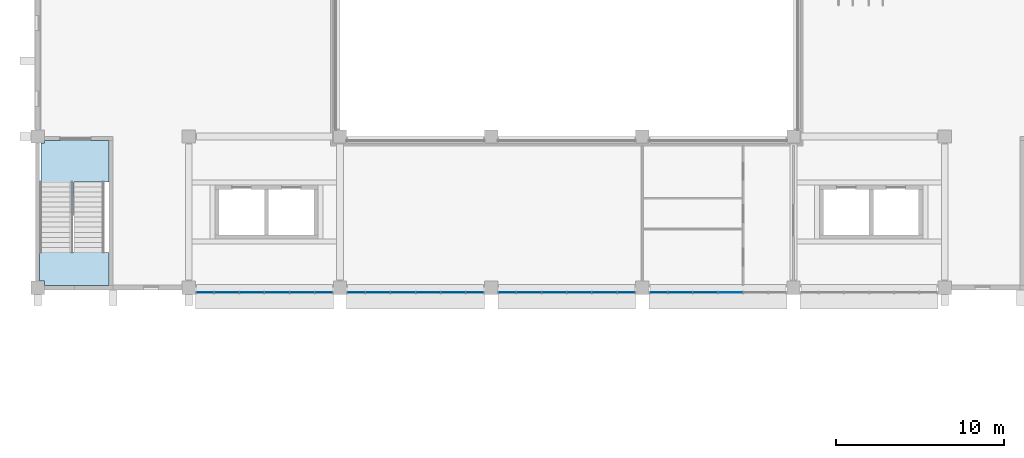
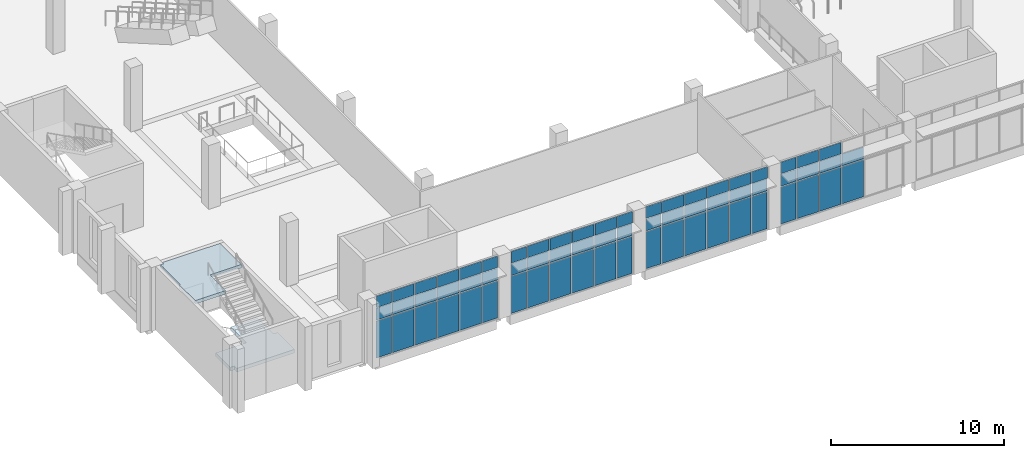
# One storey, part 50 of 106: 65 plates, 2 slabs, 5 elements without a shape of their own.
"""IFC4 building model written with IfcOpenShell, lengths in metres."""

from ifc_helpers import new_model, si_unit, direction, frame, origin, origin_2d, place, context, subcontext, project, spatial, polyline, rectangle, outline, extrude, material, layer, layer_set, type_object, element, aggregate, save


model = new_model("IFC4")

# Units and contexts
model_context = context("Model", 3, precision=1e-05, world=origin(), true_north=direction((0.0, 1.0)))
body_context = subcontext(model_context, "Body", "Model", "MODEL_VIEW")
ifc_project = project(units=[si_unit("LENGTHUNIT", "METRE"), si_unit("AREAUNIT", "SQUARE_METRE"), si_unit("VOLUMEUNIT", "CUBIC_METRE"), si_unit("PLANEANGLEUNIT", "RADIAN"), si_unit("MASSUNIT", "GRAM", prefix="KILO")], contexts=[model_context])

# Site, building, storey
site_placement = place(None, origin())
site = spatial("IfcSite", under=ifc_project, at=site_placement, CompositionType="ELEMENT")
building_placement = place(site_placement, origin())
building = spatial("IfcBuilding", under=site, at=building_placement, Name="Guidao Yard Department Store", CompositionType="ELEMENT")
storey_placement = place(building_placement, frame((0.0, 0.0, 10.5)))
storey = spatial("IfcBuildingStorey", under=building, at=storey_placement, Name="L02", CompositionType="ELEMENT", Elevation=10.5)

# Curtain wall, plates
ifc_material_1 = material(Name="Aluminium and glass", Category="aluminium")
ifc_layer_1 = layer(ifc_material_1, 0.159912109375)
ifc_layer_set_1 = layer_set([ifc_layer_1], Name="Hall front curtain wall CW2 1500 module")
curtain_wall_type = type_object("IfcCurtainWallType", Name="Hall front curtain wall CW2 1500 module", PredefinedType="NOTDEFINED", material=ifc_layer_set_1)
curtain_wall_1_placement = place(storey_placement, origin())
curtain_wall_1 = element("IfcCurtainWall", 1, at=curtain_wall_1_placement, inside=storey, type_object=curtain_wall_type, Name="Hall front curtain wall", PredefinedType="NOTDEFINED")
ifc_material_2 = material(Name="Aluminium 6063-T5 faced insulated spandrel", Category="aluminium")
ifc_layer_2 = layer(ifc_material_2, 0.06005859375)
ifc_layer_set_2 = layer_set([ifc_layer_2], Name="Spandrel panel SP1 insulated opaque")
plate_type_1 = type_object("IfcPlateType", Name="Spandrel panel SP1 insulated opaque", PredefinedType="CURTAIN_PANEL", material=ifc_layer_set_2)
plate_1_placement = place(storey_placement, frame((9.965087890625, 44.719970703125, 3.6298828125), z_axis=(0.0, 0.0, 1.0), x_axis=(-1.0, 0.0, 0.0)))
plate_1 = element("IfcPlate", 2, at=plate_1_placement, type_object=plate_type_1, Name="CW-HF-L02-01 panel 1.3", PredefinedType="CURTAIN_PANEL", context=body_context, shape_type="SweptSolid", body=[
    extrude(rectangle(XDim=1.010009765625, YDim=0.06005859375, at=origin_2d()), origin(), (0.0, 0.0, 1.0), 0.81005859375),
])
plate_2_placement = place(storey_placement, frame((11.25, 44.719970703125, 3.6298828125), z_axis=(0.0, 0.0, 1.0), x_axis=(-1.0, 0.0, 0.0)))
plate_2 = element("IfcPlate", 3, at=plate_2_placement, type_object=plate_type_1, Name="CW-HF-L02-01 panel 2.3", PredefinedType="CURTAIN_PANEL", context=body_context, shape_type="SweptSolid", body=[
    extrude(rectangle(XDim=1.43994140625, YDim=0.06005859375, at=origin_2d()), origin(), (0.0, 0.0, 1.0), 0.81005859375),
])
plate_3_placement = place(storey_placement, frame((12.75, 44.719970703125, 3.6298828125), z_axis=(0.0, 0.0, 1.0), x_axis=(-1.0, 0.0, 0.0)))
plate_3 = element("IfcPlate", 4, at=plate_3_placement, type_object=plate_type_1, Name="CW-HF-L02-01 panel 3.3", PredefinedType="CURTAIN_PANEL", context=body_context, shape_type="SweptSolid", body=[
    extrude(rectangle(XDim=1.43994140625, YDim=0.06005859375, at=origin_2d()), origin(), (0.0, 0.0, 1.0), 0.81005859375),
])
plate_4_placement = place(storey_placement, frame((14.25, 44.719970703125, 3.6298828125), z_axis=(0.0, 0.0, 1.0), x_axis=(-1.0, 0.0, 0.0)))
plate_4 = element("IfcPlate", 5, at=plate_4_placement, type_object=plate_type_1, Name="CW-HF-L02-01 panel 4.3", PredefinedType="CURTAIN_PANEL", context=body_context, shape_type="SweptSolid", body=[
    extrude(rectangle(XDim=1.43994140625, YDim=0.06005859375, at=origin_2d()), origin(), (0.0, 0.0, 1.0), 0.81005859375),
])
plate_5_placement = place(storey_placement, frame((15.75, 44.719970703125, 3.6298828125), z_axis=(0.0, 0.0, 1.0), x_axis=(-1.0, 0.0, 0.0)))
plate_5 = element("IfcPlate", 6, at=plate_5_placement, type_object=plate_type_1, Name="CW-HF-L02-01 panel 5.3", PredefinedType="CURTAIN_PANEL", context=body_context, shape_type="SweptSolid", body=[
    extrude(rectangle(XDim=1.43994140625, YDim=0.06005859375, at=origin_2d()), origin(), (0.0, 0.0, 1.0), 0.81005859375),
])
plate_6_placement = place(storey_placement, frame((17.034912109375, 44.719970703125, 3.6298828125), z_axis=(0.0, 0.0, 1.0), x_axis=(-1.0, 0.0, 0.0)))
plate_6 = element("IfcPlate", 7, at=plate_6_placement, type_object=plate_type_1, Name="CW-HF-L02-01 panel 6.3", PredefinedType="CURTAIN_PANEL", context=body_context, shape_type="SweptSolid", body=[
    extrude(rectangle(XDim=1.010009765625, YDim=0.06005859375, at=origin_2d()), origin(), (0.0, 0.0, 1.0), 0.81005859375),
])

curtain_wall_2_placement = place(storey_placement, origin())
curtain_wall_2 = element("IfcCurtainWall", 8, at=curtain_wall_2_placement, inside=storey, type_object=curtain_wall_type, Name="Hall front curtain wall", PredefinedType="NOTDEFINED")
plate_7_placement = place(storey_placement, frame((18.965087890625, 44.719970703125, 3.6298828125), z_axis=(0.0, 0.0, 1.0), x_axis=(-1.0, 0.0, 0.0)))
plate_7 = element("IfcPlate", 9, at=plate_7_placement, type_object=plate_type_1, Name="CW-HF-L02-02 panel 1.3", PredefinedType="CURTAIN_PANEL", context=body_context, shape_type="SweptSolid", body=[
    extrude(rectangle(XDim=1.010009765625, YDim=0.06005859375, at=origin_2d()), origin(), (0.0, 0.0, 1.0), 0.81005859375),
])
plate_8_placement = place(storey_placement, frame((20.25, 44.719970703125, 3.6298828125), z_axis=(0.0, 0.0, 1.0), x_axis=(-1.0, 0.0, 0.0)))
plate_8 = element("IfcPlate", 10, at=plate_8_placement, type_object=plate_type_1, Name="CW-HF-L02-02 panel 2.3", PredefinedType="CURTAIN_PANEL", context=body_context, shape_type="SweptSolid", body=[
    extrude(rectangle(XDim=1.43994140625, YDim=0.06005859375, at=origin_2d()), origin(), (0.0, 0.0, 1.0), 0.81005859375),
])
plate_9_placement = place(storey_placement, frame((21.75, 44.719970703125, 3.6298828125), z_axis=(0.0, 0.0, 1.0), x_axis=(-1.0, 0.0, 0.0)))
plate_9 = element("IfcPlate", 11, at=plate_9_placement, type_object=plate_type_1, Name="CW-HF-L02-02 panel 3.3", PredefinedType="CURTAIN_PANEL", context=body_context, shape_type="SweptSolid", body=[
    extrude(rectangle(XDim=1.43994140625, YDim=0.06005859375, at=origin_2d()), origin(), (0.0, 0.0, 1.0), 0.81005859375),
])
plate_10_placement = place(storey_placement, frame((23.25, 44.719970703125, 3.6298828125), z_axis=(0.0, 0.0, 1.0), x_axis=(-1.0, 0.0, 0.0)))
plate_10 = element("IfcPlate", 12, at=plate_10_placement, type_object=plate_type_1, Name="CW-HF-L02-02 panel 4.3", PredefinedType="CURTAIN_PANEL", context=body_context, shape_type="SweptSolid", body=[
    extrude(rectangle(XDim=1.43994140625, YDim=0.06005859375, at=origin_2d()), origin(), (0.0, 0.0, 1.0), 0.81005859375),
])
plate_11_placement = place(storey_placement, frame((24.75, 44.719970703125, 3.6298828125), z_axis=(0.0, 0.0, 1.0), x_axis=(-1.0, 0.0, 0.0)))
plate_11 = element("IfcPlate", 13, at=plate_11_placement, type_object=plate_type_1, Name="CW-HF-L02-02 panel 5.3", PredefinedType="CURTAIN_PANEL", context=body_context, shape_type="SweptSolid", body=[
    extrude(rectangle(XDim=1.43994140625, YDim=0.06005859375, at=origin_2d()), origin(), (0.0, 0.0, 1.0), 0.81005859375),
])
plate_12_placement = place(storey_placement, frame((26.034912109375, 44.719970703125, 3.6298828125), z_axis=(0.0, 0.0, 1.0), x_axis=(-1.0, 0.0, 0.0)))
plate_12 = element("IfcPlate", 14, at=plate_12_placement, type_object=plate_type_1, Name="CW-HF-L02-02 panel 6.3", PredefinedType="CURTAIN_PANEL", context=body_context, shape_type="SweptSolid", body=[
    extrude(rectangle(XDim=1.010009765625, YDim=0.06005859375, at=origin_2d()), origin(), (0.0, 0.0, 1.0), 0.81005859375),
])

curtain_wall_3_placement = place(storey_placement, origin())
curtain_wall_3 = element("IfcCurtainWall", 15, at=curtain_wall_3_placement, inside=storey, type_object=curtain_wall_type, Name="Hall front curtain wall", PredefinedType="NOTDEFINED")
plate_13_placement = place(storey_placement, frame((27.965087890625, 44.719970703125, 3.6298828125), z_axis=(0.0, 0.0, 1.0), x_axis=(-1.0, 0.0, 0.0)))
plate_13 = element("IfcPlate", 16, at=plate_13_placement, type_object=plate_type_1, Name="CW-HF-L02-03 panel 1.3", PredefinedType="CURTAIN_PANEL", context=body_context, shape_type="SweptSolid", body=[
    extrude(rectangle(XDim=1.010009765625, YDim=0.06005859375, at=origin_2d()), origin(), (0.0, 0.0, 1.0), 0.81005859375),
])
plate_14_placement = place(storey_placement, frame((29.25, 44.719970703125, 3.6298828125), z_axis=(0.0, 0.0, 1.0), x_axis=(-1.0, 0.0, 0.0)))
plate_14 = element("IfcPlate", 17, at=plate_14_placement, type_object=plate_type_1, Name="CW-HF-L02-03 panel 2.3", PredefinedType="CURTAIN_PANEL", context=body_context, shape_type="SweptSolid", body=[
    extrude(rectangle(XDim=1.43994140625, YDim=0.06005859375, at=origin_2d()), origin(), (0.0, 0.0, 1.0), 0.81005859375),
])
plate_15_placement = place(storey_placement, frame((30.75, 44.719970703125, 3.6298828125), z_axis=(0.0, 0.0, 1.0), x_axis=(-1.0, 0.0, 0.0)))
plate_15 = element("IfcPlate", 18, at=plate_15_placement, type_object=plate_type_1, Name="CW-HF-L02-03 panel 3.3", PredefinedType="CURTAIN_PANEL", context=body_context, shape_type="SweptSolid", body=[
    extrude(rectangle(XDim=1.43994140625, YDim=0.06005859375, at=origin_2d()), origin(), (0.0, 0.0, 1.0), 0.81005859375),
])
plate_16_placement = place(storey_placement, frame((32.25, 44.719970703125, 3.6298828125), z_axis=(0.0, 0.0, 1.0), x_axis=(-1.0, 0.0, 0.0)))
plate_16 = element("IfcPlate", 19, at=plate_16_placement, type_object=plate_type_1, Name="CW-HF-L02-03 panel 4.3", PredefinedType="CURTAIN_PANEL", context=body_context, shape_type="SweptSolid", body=[
    extrude(rectangle(XDim=1.43994140625, YDim=0.06005859375, at=origin_2d()), origin(), (0.0, 0.0, 1.0), 0.81005859375),
])
plate_17_placement = place(storey_placement, frame((33.75, 44.719970703125, 3.6298828125), z_axis=(0.0, 0.0, 1.0), x_axis=(-1.0, 0.0, 0.0)))
plate_17 = element("IfcPlate", 20, at=plate_17_placement, type_object=plate_type_1, Name="CW-HF-L02-03 panel 5.3", PredefinedType="CURTAIN_PANEL", context=body_context, shape_type="SweptSolid", body=[
    extrude(rectangle(XDim=1.43994140625, YDim=0.06005859375, at=origin_2d()), origin(), (0.0, 0.0, 1.0), 0.81005859375),
])
plate_18_placement = place(storey_placement, frame((35.034912109375, 44.719970703125, 3.6298828125), z_axis=(0.0, 0.0, 1.0), x_axis=(-1.0, 0.0, 0.0)))
plate_18 = element("IfcPlate", 21, at=plate_18_placement, type_object=plate_type_1, Name="CW-HF-L02-03 panel 6.3", PredefinedType="CURTAIN_PANEL", context=body_context, shape_type="SweptSolid", body=[
    extrude(rectangle(XDim=1.010009765625, YDim=0.06005859375, at=origin_2d()), origin(), (0.0, 0.0, 1.0), 0.81005859375),
])

curtain_wall_4_placement = place(storey_placement, origin())
curtain_wall_4 = element("IfcCurtainWall", 22, at=curtain_wall_4_placement, inside=storey, type_object=curtain_wall_type, Name="Hall front curtain wall", PredefinedType="NOTDEFINED")
plate_19_placement = place(storey_placement, frame((36.965087890625, 44.719970703125, 3.6298828125), z_axis=(0.0, 0.0, 1.0), x_axis=(-1.0, 0.0, 0.0)))
plate_19 = element("IfcPlate", 23, at=plate_19_placement, type_object=plate_type_1, Name="CW-HF-L02-04 panel 1.3", PredefinedType="CURTAIN_PANEL", context=body_context, shape_type="SweptSolid", body=[
    extrude(rectangle(XDim=1.010009765625, YDim=0.06005859375, at=origin_2d()), origin(), (0.0, 0.0, 1.0), 0.81005859375),
])
plate_20_placement = place(storey_placement, frame((38.25, 44.719970703125, 3.6298828125), z_axis=(0.0, 0.0, 1.0), x_axis=(-1.0, 0.0, 0.0)))
plate_20 = element("IfcPlate", 24, at=plate_20_placement, type_object=plate_type_1, Name="CW-HF-L02-04 panel 2.3", PredefinedType="CURTAIN_PANEL", context=body_context, shape_type="SweptSolid", body=[
    extrude(rectangle(XDim=1.43994140625, YDim=0.06005859375, at=origin_2d()), origin(), (0.0, 0.0, 1.0), 0.81005859375),
])
plate_21_placement = place(storey_placement, frame((39.75, 44.719970703125, 3.6298828125), z_axis=(0.0, 0.0, 1.0), x_axis=(-1.0, 0.0, 0.0)))
plate_21 = element("IfcPlate", 25, at=plate_21_placement, type_object=plate_type_1, Name="CW-HF-L02-04 panel 3.3", PredefinedType="CURTAIN_PANEL", context=body_context, shape_type="SweptSolid", body=[
    extrude(rectangle(XDim=1.43994140625, YDim=0.06005859375, at=origin_2d()), origin(), (0.0, 0.0, 1.0), 0.81005859375),
])

# Stair, slabs
ifc_material_3 = material(Name="Concrete C35", Category="concrete")
stair_type = type_object("IfcStairType", Name="Stair half-turn two-flight 1800 wide 4.5 m rise", PredefinedType="HALF_TURN_STAIR", material=ifc_material_3)
stair_placement = place(storey_placement, origin())
stair = element("IfcStair", 26, at=stair_placement, inside=storey, type_object=stair_type, Name="Stair A8 L02 to L03", PredefinedType="HALF_TURN_STAIR")
ifc_material_4 = material(Name="Concrete C35", Category="concrete")
ifc_layer_3 = layer(ifc_material_4, 0.25)
ifc_layer_set_3 = layer_set([ifc_layer_3], Name="Stair landing RC 250 C35")
slab_type = type_object("IfcSlabType", Name="Stair landing RC 250 C35", PredefinedType="LANDING", material=ifc_layer_set_3)
slab_1_placement = place(storey_placement, frame((0.0, 0.0, 2.0)))
slab_1 = element("IfcSlab", 27, at=slab_1_placement, type_object=slab_type, Name="SA8-L02 landing 1", PredefinedType="LANDING", context=body_context, shape_type="SweptSolid", body=[
    extrude(outline(polyline([(0.39990234375, 45.125), (0.39990234375, 45.39990234375), (0.125, 45.39990234375), (0.125, 47.10009765625), (0.125, 47.110107421875), (2.175048828125, 47.110107421875), (2.175048828125, 48.929931640625), (3.97509765625, 48.929931640625), (3.97509765625, 47.10009765625), (4.25, 47.10009765625), (4.25, 45.125), (0.39990234375, 45.125)])), origin(), (0.0, 0.0, 1.0), 0.25),
])
slab_2_placement = place(storey_placement, frame((0.0, 0.0, 4.25)))
slab_2 = element("IfcSlab", 28, at=slab_2_placement, type_object=slab_type, Name="SA8-L02 landing 2", PredefinedType="LANDING", context=body_context, shape_type="SweptSolid", body=[
    extrude(outline(polyline([(0.125, 51.300048828125), (0.199951171875, 51.300048828125), (0.199951171875, 53.60009765625), (0.39990234375, 53.60009765625), (0.39990234375, 53.75), (2.175048828125, 53.75), (4.25, 53.75), (4.25, 51.2900390625), (2.175048828125, 51.2900390625), (2.175048828125, 49.469970703125), (0.125, 49.469970703125), (0.125, 51.300048828125)])), origin(), (0.0, 0.0, 1.0), 0.25),
])
aggregate(stair, [slab_1, slab_2])

# Plate
ifc_material_5 = material(Name="Laminated heat-soaked tempered glass", Category="glass")
ifc_layer_4 = layer(ifc_material_5, 0.017578125)
ifc_layer_set_4 = layer_set([ifc_layer_4], Name="Vision glass VG1 laminated heat-soaked tempered 8+8")
plate_type_2 = type_object("IfcPlateType", Name="Vision glass VG1 laminated heat-soaked tempered 8+8", PredefinedType="CURTAIN_PANEL", material=ifc_layer_set_4)
plate_22_placement = place(storey_placement, frame((9.965087890625, 44.719970703125, 0.06005859375), z_axis=(0.0, 0.0, 1.0), x_axis=(-1.0, 0.0, 0.0)))
plate_22 = element("IfcPlate", 29, at=plate_22_placement, type_object=plate_type_2, Name="CW-HF-L02-01 panel 1.1", PredefinedType="CURTAIN_PANEL", context=body_context, shape_type="SweptSolid", body=[
    extrude(rectangle(XDim=1.010009765625, YDim=0.017578125, at=origin_2d()), origin(), (0.0, 0.0, 1.0), 2.610107421875),
])

plate_23_placement = place(storey_placement, frame((9.965087890625, 44.719970703125, 2.72998046875), z_axis=(0.0, 0.0, 1.0), x_axis=(-1.0, 0.0, 0.0)))
plate_23 = element("IfcPlate", 30, at=plate_23_placement, type_object=plate_type_2, Name="CW-HF-L02-01 panel 1.2", PredefinedType="CURTAIN_PANEL", context=body_context, shape_type="SweptSolid", body=[
    extrude(rectangle(XDim=1.010009765625, YDim=0.017578125, at=origin_2d()), origin(), (0.0, 0.0, 1.0), 0.840087890625),
])

plate_24_placement = place(storey_placement, frame((11.25, 44.719970703125, 0.06005859375), z_axis=(0.0, 0.0, 1.0), x_axis=(-1.0, 0.0, 0.0)))
plate_24 = element("IfcPlate", 31, at=plate_24_placement, type_object=plate_type_2, Name="CW-HF-L02-01 panel 2.1", PredefinedType="CURTAIN_PANEL", context=body_context, shape_type="SweptSolid", body=[
    extrude(rectangle(XDim=1.43994140625, YDim=0.017578125, at=origin_2d()), origin(), (0.0, 0.0, 1.0), 2.610107421875),
])

plate_25_placement = place(storey_placement, frame((11.25, 44.719970703125, 2.72998046875), z_axis=(0.0, 0.0, 1.0), x_axis=(-1.0, 0.0, 0.0)))
plate_25 = element("IfcPlate", 32, at=plate_25_placement, type_object=plate_type_2, Name="CW-HF-L02-01 panel 2.2", PredefinedType="CURTAIN_PANEL", context=body_context, shape_type="SweptSolid", body=[
    extrude(rectangle(XDim=1.43994140625, YDim=0.017578125, at=origin_2d()), origin(), (0.0, 0.0, 1.0), 0.840087890625),
])

plate_26_placement = place(storey_placement, frame((12.75, 44.719970703125, 0.06005859375), z_axis=(0.0, 0.0, 1.0), x_axis=(-1.0, 0.0, 0.0)))
plate_26 = element("IfcPlate", 33, at=plate_26_placement, type_object=plate_type_2, Name="CW-HF-L02-01 panel 3.1", PredefinedType="CURTAIN_PANEL", context=body_context, shape_type="SweptSolid", body=[
    extrude(rectangle(XDim=1.43994140625, YDim=0.017578125, at=origin_2d()), origin(), (0.0, 0.0, 1.0), 2.610107421875),
])

plate_27_placement = place(storey_placement, frame((12.75, 44.719970703125, 2.72998046875), z_axis=(0.0, 0.0, 1.0), x_axis=(-1.0, 0.0, 0.0)))
plate_27 = element("IfcPlate", 34, at=plate_27_placement, type_object=plate_type_2, Name="CW-HF-L02-01 panel 3.2", PredefinedType="CURTAIN_PANEL", context=body_context, shape_type="SweptSolid", body=[
    extrude(rectangle(XDim=1.43994140625, YDim=0.017578125, at=origin_2d()), origin(), (0.0, 0.0, 1.0), 0.840087890625),
])

plate_28_placement = place(storey_placement, frame((14.25, 44.719970703125, 0.06005859375), z_axis=(0.0, 0.0, 1.0), x_axis=(-1.0, 0.0, 0.0)))
plate_28 = element("IfcPlate", 35, at=plate_28_placement, type_object=plate_type_2, Name="CW-HF-L02-01 panel 4.1", PredefinedType="CURTAIN_PANEL", context=body_context, shape_type="SweptSolid", body=[
    extrude(rectangle(XDim=1.43994140625, YDim=0.017578125, at=origin_2d()), origin(), (0.0, 0.0, 1.0), 2.610107421875),
])

plate_29_placement = place(storey_placement, frame((14.25, 44.719970703125, 2.72998046875), z_axis=(0.0, 0.0, 1.0), x_axis=(-1.0, 0.0, 0.0)))
plate_29 = element("IfcPlate", 36, at=plate_29_placement, type_object=plate_type_2, Name="CW-HF-L02-01 panel 4.2", PredefinedType="CURTAIN_PANEL", context=body_context, shape_type="SweptSolid", body=[
    extrude(rectangle(XDim=1.43994140625, YDim=0.017578125, at=origin_2d()), origin(), (0.0, 0.0, 1.0), 0.840087890625),
])

plate_30_placement = place(storey_placement, frame((15.75, 44.719970703125, 0.06005859375), z_axis=(0.0, 0.0, 1.0), x_axis=(-1.0, 0.0, 0.0)))
plate_30 = element("IfcPlate", 37, at=plate_30_placement, type_object=plate_type_2, Name="CW-HF-L02-01 panel 5.1", PredefinedType="CURTAIN_PANEL", context=body_context, shape_type="SweptSolid", body=[
    extrude(rectangle(XDim=1.43994140625, YDim=0.017578125, at=origin_2d()), origin(), (0.0, 0.0, 1.0), 2.610107421875),
])

plate_31_placement = place(storey_placement, frame((15.75, 44.719970703125, 2.72998046875), z_axis=(0.0, 0.0, 1.0), x_axis=(-1.0, 0.0, 0.0)))
plate_31 = element("IfcPlate", 38, at=plate_31_placement, type_object=plate_type_2, Name="CW-HF-L02-01 panel 5.2", PredefinedType="CURTAIN_PANEL", context=body_context, shape_type="SweptSolid", body=[
    extrude(rectangle(XDim=1.43994140625, YDim=0.017578125, at=origin_2d()), origin(), (0.0, 0.0, 1.0), 0.840087890625),
])

plate_32_placement = place(storey_placement, frame((17.034912109375, 44.719970703125, 0.06005859375), z_axis=(0.0, 0.0, 1.0), x_axis=(-1.0, 0.0, 0.0)))
plate_32 = element("IfcPlate", 39, at=plate_32_placement, type_object=plate_type_2, Name="CW-HF-L02-01 panel 6.1", PredefinedType="CURTAIN_PANEL", context=body_context, shape_type="SweptSolid", body=[
    extrude(rectangle(XDim=1.010009765625, YDim=0.017578125, at=origin_2d()), origin(), (0.0, 0.0, 1.0), 2.610107421875),
])

plate_33_placement = place(storey_placement, frame((17.034912109375, 44.719970703125, 2.72998046875), z_axis=(0.0, 0.0, 1.0), x_axis=(-1.0, 0.0, 0.0)))
plate_33 = element("IfcPlate", 40, at=plate_33_placement, type_object=plate_type_2, Name="CW-HF-L02-01 panel 6.2", PredefinedType="CURTAIN_PANEL", context=body_context, shape_type="SweptSolid", body=[
    extrude(rectangle(XDim=1.010009765625, YDim=0.017578125, at=origin_2d()), origin(), (0.0, 0.0, 1.0), 0.840087890625),
])

aggregate(curtain_wall_1, [plate_22, plate_23, plate_1, plate_24, plate_25, plate_2, plate_26, plate_27, plate_3, plate_28, plate_29, plate_4, plate_30, plate_31, plate_5, plate_32, plate_33, plate_6])

plate_34_placement = place(storey_placement, frame((18.965087890625, 44.719970703125, 0.06005859375), z_axis=(0.0, 0.0, 1.0), x_axis=(-1.0, 0.0, 0.0)))
plate_34 = element("IfcPlate", 41, at=plate_34_placement, type_object=plate_type_2, Name="CW-HF-L02-02 panel 1.1", PredefinedType="CURTAIN_PANEL", context=body_context, shape_type="SweptSolid", body=[
    extrude(rectangle(XDim=1.010009765625, YDim=0.017578125, at=origin_2d()), origin(), (0.0, 0.0, 1.0), 2.610107421875),
])

plate_35_placement = place(storey_placement, frame((18.965087890625, 44.719970703125, 2.72998046875), z_axis=(0.0, 0.0, 1.0), x_axis=(-1.0, 0.0, 0.0)))
plate_35 = element("IfcPlate", 42, at=plate_35_placement, type_object=plate_type_2, Name="CW-HF-L02-02 panel 1.2", PredefinedType="CURTAIN_PANEL", context=body_context, shape_type="SweptSolid", body=[
    extrude(rectangle(XDim=1.010009765625, YDim=0.017578125, at=origin_2d()), origin(), (0.0, 0.0, 1.0), 0.840087890625),
])

plate_36_placement = place(storey_placement, frame((20.25, 44.719970703125, 0.06005859375), z_axis=(0.0, 0.0, 1.0), x_axis=(-1.0, 0.0, 0.0)))
plate_36 = element("IfcPlate", 43, at=plate_36_placement, type_object=plate_type_2, Name="CW-HF-L02-02 panel 2.1", PredefinedType="CURTAIN_PANEL", context=body_context, shape_type="SweptSolid", body=[
    extrude(rectangle(XDim=1.43994140625, YDim=0.017578125, at=origin_2d()), origin(), (0.0, 0.0, 1.0), 2.610107421875),
])

plate_37_placement = place(storey_placement, frame((20.25, 44.719970703125, 2.72998046875), z_axis=(0.0, 0.0, 1.0), x_axis=(-1.0, 0.0, 0.0)))
plate_37 = element("IfcPlate", 44, at=plate_37_placement, type_object=plate_type_2, Name="CW-HF-L02-02 panel 2.2", PredefinedType="CURTAIN_PANEL", context=body_context, shape_type="SweptSolid", body=[
    extrude(rectangle(XDim=1.43994140625, YDim=0.017578125, at=origin_2d()), origin(), (0.0, 0.0, 1.0), 0.840087890625),
])

plate_38_placement = place(storey_placement, frame((21.75, 44.719970703125, 0.06005859375), z_axis=(0.0, 0.0, 1.0), x_axis=(-1.0, 0.0, 0.0)))
plate_38 = element("IfcPlate", 45, at=plate_38_placement, type_object=plate_type_2, Name="CW-HF-L02-02 panel 3.1", PredefinedType="CURTAIN_PANEL", context=body_context, shape_type="SweptSolid", body=[
    extrude(rectangle(XDim=1.43994140625, YDim=0.017578125, at=origin_2d()), origin(), (0.0, 0.0, 1.0), 2.610107421875),
])

plate_39_placement = place(storey_placement, frame((21.75, 44.719970703125, 2.72998046875), z_axis=(0.0, 0.0, 1.0), x_axis=(-1.0, 0.0, 0.0)))
plate_39 = element("IfcPlate", 46, at=plate_39_placement, type_object=plate_type_2, Name="CW-HF-L02-02 panel 3.2", PredefinedType="CURTAIN_PANEL", context=body_context, shape_type="SweptSolid", body=[
    extrude(rectangle(XDim=1.43994140625, YDim=0.017578125, at=origin_2d()), origin(), (0.0, 0.0, 1.0), 0.840087890625),
])

plate_40_placement = place(storey_placement, frame((23.25, 44.719970703125, 0.06005859375), z_axis=(0.0, 0.0, 1.0), x_axis=(-1.0, 0.0, 0.0)))
plate_40 = element("IfcPlate", 47, at=plate_40_placement, type_object=plate_type_2, Name="CW-HF-L02-02 panel 4.1", PredefinedType="CURTAIN_PANEL", context=body_context, shape_type="SweptSolid", body=[
    extrude(rectangle(XDim=1.43994140625, YDim=0.017578125, at=origin_2d()), origin(), (0.0, 0.0, 1.0), 2.610107421875),
])

plate_41_placement = place(storey_placement, frame((23.25, 44.719970703125, 2.72998046875), z_axis=(0.0, 0.0, 1.0), x_axis=(-1.0, 0.0, 0.0)))
plate_41 = element("IfcPlate", 48, at=plate_41_placement, type_object=plate_type_2, Name="CW-HF-L02-02 panel 4.2", PredefinedType="CURTAIN_PANEL", context=body_context, shape_type="SweptSolid", body=[
    extrude(rectangle(XDim=1.43994140625, YDim=0.017578125, at=origin_2d()), origin(), (0.0, 0.0, 1.0), 0.840087890625),
])

plate_42_placement = place(storey_placement, frame((24.75, 44.719970703125, 0.06005859375), z_axis=(0.0, 0.0, 1.0), x_axis=(-1.0, 0.0, 0.0)))
plate_42 = element("IfcPlate", 49, at=plate_42_placement, type_object=plate_type_2, Name="CW-HF-L02-02 panel 5.1", PredefinedType="CURTAIN_PANEL", context=body_context, shape_type="SweptSolid", body=[
    extrude(rectangle(XDim=1.43994140625, YDim=0.017578125, at=origin_2d()), origin(), (0.0, 0.0, 1.0), 2.610107421875),
])

plate_43_placement = place(storey_placement, frame((24.75, 44.719970703125, 2.72998046875), z_axis=(0.0, 0.0, 1.0), x_axis=(-1.0, 0.0, 0.0)))
plate_43 = element("IfcPlate", 50, at=plate_43_placement, type_object=plate_type_2, Name="CW-HF-L02-02 panel 5.2", PredefinedType="CURTAIN_PANEL", context=body_context, shape_type="SweptSolid", body=[
    extrude(rectangle(XDim=1.43994140625, YDim=0.017578125, at=origin_2d()), origin(), (0.0, 0.0, 1.0), 0.840087890625),
])

plate_44_placement = place(storey_placement, frame((26.034912109375, 44.719970703125, 0.06005859375), z_axis=(0.0, 0.0, 1.0), x_axis=(-1.0, 0.0, 0.0)))
plate_44 = element("IfcPlate", 51, at=plate_44_placement, type_object=plate_type_2, Name="CW-HF-L02-02 panel 6.1", PredefinedType="CURTAIN_PANEL", context=body_context, shape_type="SweptSolid", body=[
    extrude(rectangle(XDim=1.010009765625, YDim=0.017578125, at=origin_2d()), origin(), (0.0, 0.0, 1.0), 2.610107421875),
])

plate_45_placement = place(storey_placement, frame((26.034912109375, 44.719970703125, 2.72998046875), z_axis=(0.0, 0.0, 1.0), x_axis=(-1.0, 0.0, 0.0)))
plate_45 = element("IfcPlate", 52, at=plate_45_placement, type_object=plate_type_2, Name="CW-HF-L02-02 panel 6.2", PredefinedType="CURTAIN_PANEL", context=body_context, shape_type="SweptSolid", body=[
    extrude(rectangle(XDim=1.010009765625, YDim=0.017578125, at=origin_2d()), origin(), (0.0, 0.0, 1.0), 0.840087890625),
])

aggregate(curtain_wall_2, [plate_34, plate_35, plate_7, plate_36, plate_37, plate_8, plate_38, plate_39, plate_9, plate_40, plate_41, plate_10, plate_42, plate_43, plate_11, plate_44, plate_45, plate_12])

plate_46_placement = place(storey_placement, frame((27.965087890625, 44.719970703125, 0.06005859375), z_axis=(0.0, 0.0, 1.0), x_axis=(-1.0, 0.0, 0.0)))
plate_46 = element("IfcPlate", 53, at=plate_46_placement, type_object=plate_type_2, Name="CW-HF-L02-03 panel 1.1", PredefinedType="CURTAIN_PANEL", context=body_context, shape_type="SweptSolid", body=[
    extrude(rectangle(XDim=1.010009765625, YDim=0.017578125, at=origin_2d()), origin(), (0.0, 0.0, 1.0), 2.610107421875),
])

plate_47_placement = place(storey_placement, frame((27.965087890625, 44.719970703125, 2.72998046875), z_axis=(0.0, 0.0, 1.0), x_axis=(-1.0, 0.0, 0.0)))
plate_47 = element("IfcPlate", 54, at=plate_47_placement, type_object=plate_type_2, Name="CW-HF-L02-03 panel 1.2", PredefinedType="CURTAIN_PANEL", context=body_context, shape_type="SweptSolid", body=[
    extrude(rectangle(XDim=1.010009765625, YDim=0.017578125, at=origin_2d()), origin(), (0.0, 0.0, 1.0), 0.840087890625),
])

plate_48_placement = place(storey_placement, frame((29.25, 44.719970703125, 0.06005859375), z_axis=(0.0, 0.0, 1.0), x_axis=(-1.0, 0.0, 0.0)))
plate_48 = element("IfcPlate", 55, at=plate_48_placement, type_object=plate_type_2, Name="CW-HF-L02-03 panel 2.1", PredefinedType="CURTAIN_PANEL", context=body_context, shape_type="SweptSolid", body=[
    extrude(rectangle(XDim=1.43994140625, YDim=0.017578125, at=origin_2d()), origin(), (0.0, 0.0, 1.0), 2.610107421875),
])

plate_49_placement = place(storey_placement, frame((29.25, 44.719970703125, 2.72998046875), z_axis=(0.0, 0.0, 1.0), x_axis=(-1.0, 0.0, 0.0)))
plate_49 = element("IfcPlate", 56, at=plate_49_placement, type_object=plate_type_2, Name="CW-HF-L02-03 panel 2.2", PredefinedType="CURTAIN_PANEL", context=body_context, shape_type="SweptSolid", body=[
    extrude(rectangle(XDim=1.43994140625, YDim=0.017578125, at=origin_2d()), origin(), (0.0, 0.0, 1.0), 0.840087890625),
])

plate_50_placement = place(storey_placement, frame((30.75, 44.719970703125, 0.06005859375), z_axis=(0.0, 0.0, 1.0), x_axis=(-1.0, 0.0, 0.0)))
plate_50 = element("IfcPlate", 57, at=plate_50_placement, type_object=plate_type_2, Name="CW-HF-L02-03 panel 3.1", PredefinedType="CURTAIN_PANEL", context=body_context, shape_type="SweptSolid", body=[
    extrude(rectangle(XDim=1.43994140625, YDim=0.017578125, at=origin_2d()), origin(), (0.0, 0.0, 1.0), 2.610107421875),
])

plate_51_placement = place(storey_placement, frame((30.75, 44.719970703125, 2.72998046875), z_axis=(0.0, 0.0, 1.0), x_axis=(-1.0, 0.0, 0.0)))
plate_51 = element("IfcPlate", 58, at=plate_51_placement, type_object=plate_type_2, Name="CW-HF-L02-03 panel 3.2", PredefinedType="CURTAIN_PANEL", context=body_context, shape_type="SweptSolid", body=[
    extrude(rectangle(XDim=1.43994140625, YDim=0.017578125, at=origin_2d()), origin(), (0.0, 0.0, 1.0), 0.840087890625),
])

plate_52_placement = place(storey_placement, frame((32.25, 44.719970703125, 0.06005859375), z_axis=(0.0, 0.0, 1.0), x_axis=(-1.0, 0.0, 0.0)))
plate_52 = element("IfcPlate", 59, at=plate_52_placement, type_object=plate_type_2, Name="CW-HF-L02-03 panel 4.1", PredefinedType="CURTAIN_PANEL", context=body_context, shape_type="SweptSolid", body=[
    extrude(rectangle(XDim=1.43994140625, YDim=0.017578125, at=origin_2d()), origin(), (0.0, 0.0, 1.0), 2.610107421875),
])

plate_53_placement = place(storey_placement, frame((32.25, 44.719970703125, 2.72998046875), z_axis=(0.0, 0.0, 1.0), x_axis=(-1.0, 0.0, 0.0)))
plate_53 = element("IfcPlate", 60, at=plate_53_placement, type_object=plate_type_2, Name="CW-HF-L02-03 panel 4.2", PredefinedType="CURTAIN_PANEL", context=body_context, shape_type="SweptSolid", body=[
    extrude(rectangle(XDim=1.43994140625, YDim=0.017578125, at=origin_2d()), origin(), (0.0, 0.0, 1.0), 0.840087890625),
])

plate_54_placement = place(storey_placement, frame((33.75, 44.719970703125, 0.06005859375), z_axis=(0.0, 0.0, 1.0), x_axis=(-1.0, 0.0, 0.0)))
plate_54 = element("IfcPlate", 61, at=plate_54_placement, type_object=plate_type_2, Name="CW-HF-L02-03 panel 5.1", PredefinedType="CURTAIN_PANEL", context=body_context, shape_type="SweptSolid", body=[
    extrude(rectangle(XDim=1.43994140625, YDim=0.017578125, at=origin_2d()), origin(), (0.0, 0.0, 1.0), 2.610107421875),
])

plate_55_placement = place(storey_placement, frame((33.75, 44.719970703125, 2.72998046875), z_axis=(0.0, 0.0, 1.0), x_axis=(-1.0, 0.0, 0.0)))
plate_55 = element("IfcPlate", 62, at=plate_55_placement, type_object=plate_type_2, Name="CW-HF-L02-03 panel 5.2", PredefinedType="CURTAIN_PANEL", context=body_context, shape_type="SweptSolid", body=[
    extrude(rectangle(XDim=1.43994140625, YDim=0.017578125, at=origin_2d()), origin(), (0.0, 0.0, 1.0), 0.840087890625),
])

plate_56_placement = place(storey_placement, frame((35.034912109375, 44.719970703125, 0.06005859375), z_axis=(0.0, 0.0, 1.0), x_axis=(-1.0, 0.0, 0.0)))
plate_56 = element("IfcPlate", 63, at=plate_56_placement, type_object=plate_type_2, Name="CW-HF-L02-03 panel 6.1", PredefinedType="CURTAIN_PANEL", context=body_context, shape_type="SweptSolid", body=[
    extrude(rectangle(XDim=1.010009765625, YDim=0.017578125, at=origin_2d()), origin(), (0.0, 0.0, 1.0), 2.610107421875),
])

plate_57_placement = place(storey_placement, frame((35.034912109375, 44.719970703125, 2.72998046875), z_axis=(0.0, 0.0, 1.0), x_axis=(-1.0, 0.0, 0.0)))
plate_57 = element("IfcPlate", 64, at=plate_57_placement, type_object=plate_type_2, Name="CW-HF-L02-03 panel 6.2", PredefinedType="CURTAIN_PANEL", context=body_context, shape_type="SweptSolid", body=[
    extrude(rectangle(XDim=1.010009765625, YDim=0.017578125, at=origin_2d()), origin(), (0.0, 0.0, 1.0), 0.840087890625),
])

aggregate(curtain_wall_3, [plate_46, plate_47, plate_13, plate_48, plate_49, plate_14, plate_50, plate_51, plate_15, plate_52, plate_53, plate_16, plate_54, plate_55, plate_17, plate_56, plate_57, plate_18])

plate_58_placement = place(storey_placement, frame((36.965087890625, 44.719970703125, 0.06005859375), z_axis=(0.0, 0.0, 1.0), x_axis=(-1.0, 0.0, 0.0)))
plate_58 = element("IfcPlate", 65, at=plate_58_placement, type_object=plate_type_2, Name="CW-HF-L02-04 panel 1.1", PredefinedType="CURTAIN_PANEL", context=body_context, shape_type="SweptSolid", body=[
    extrude(rectangle(XDim=1.010009765625, YDim=0.017578125, at=origin_2d()), origin(), (0.0, 0.0, 1.0), 2.610107421875),
])

plate_59_placement = place(storey_placement, frame((36.965087890625, 44.719970703125, 2.72998046875), z_axis=(0.0, 0.0, 1.0), x_axis=(-1.0, 0.0, 0.0)))
plate_59 = element("IfcPlate", 66, at=plate_59_placement, type_object=plate_type_2, Name="CW-HF-L02-04 panel 1.2", PredefinedType="CURTAIN_PANEL", context=body_context, shape_type="SweptSolid", body=[
    extrude(rectangle(XDim=1.010009765625, YDim=0.017578125, at=origin_2d()), origin(), (0.0, 0.0, 1.0), 0.840087890625),
])

plate_60_placement = place(storey_placement, frame((38.25, 44.719970703125, 0.06005859375), z_axis=(0.0, 0.0, 1.0), x_axis=(-1.0, 0.0, 0.0)))
plate_60 = element("IfcPlate", 67, at=plate_60_placement, type_object=plate_type_2, Name="CW-HF-L02-04 panel 2.1", PredefinedType="CURTAIN_PANEL", context=body_context, shape_type="SweptSolid", body=[
    extrude(rectangle(XDim=1.43994140625, YDim=0.017578125, at=origin_2d()), origin(), (0.0, 0.0, 1.0), 2.610107421875),
])

plate_61_placement = place(storey_placement, frame((38.25, 44.719970703125, 2.72998046875), z_axis=(0.0, 0.0, 1.0), x_axis=(-1.0, 0.0, 0.0)))
plate_61 = element("IfcPlate", 68, at=plate_61_placement, type_object=plate_type_2, Name="CW-HF-L02-04 panel 2.2", PredefinedType="CURTAIN_PANEL", context=body_context, shape_type="SweptSolid", body=[
    extrude(rectangle(XDim=1.43994140625, YDim=0.017578125, at=origin_2d()), origin(), (0.0, 0.0, 1.0), 0.840087890625),
])

plate_62_placement = place(storey_placement, frame((39.75, 44.719970703125, 0.06005859375), z_axis=(0.0, 0.0, 1.0), x_axis=(-1.0, 0.0, 0.0)))
plate_62 = element("IfcPlate", 69, at=plate_62_placement, type_object=plate_type_2, Name="CW-HF-L02-04 panel 3.1", PredefinedType="CURTAIN_PANEL", context=body_context, shape_type="SweptSolid", body=[
    extrude(rectangle(XDim=1.43994140625, YDim=0.017578125, at=origin_2d()), origin(), (0.0, 0.0, 1.0), 2.610107421875),
])

plate_63_placement = place(storey_placement, frame((39.75, 44.719970703125, 2.72998046875), z_axis=(0.0, 0.0, 1.0), x_axis=(-1.0, 0.0, 0.0)))
plate_63 = element("IfcPlate", 70, at=plate_63_placement, type_object=plate_type_2, Name="CW-HF-L02-04 panel 3.2", PredefinedType="CURTAIN_PANEL", context=body_context, shape_type="SweptSolid", body=[
    extrude(rectangle(XDim=1.43994140625, YDim=0.017578125, at=origin_2d()), origin(), (0.0, 0.0, 1.0), 0.840087890625),
])

plate_64_placement = place(storey_placement, frame((41.25, 44.719970703125, 0.06005859375), z_axis=(0.0, 0.0, 1.0), x_axis=(-1.0, 0.0, 0.0)))
plate_64 = element("IfcPlate", 71, at=plate_64_placement, type_object=plate_type_2, Name="CW-HF-L02-04 panel 4.1", PredefinedType="CURTAIN_PANEL", context=body_context, shape_type="SweptSolid", body=[
    extrude(rectangle(XDim=1.43994140625, YDim=0.017578125, at=origin_2d()), origin(), (0.0, 0.0, 1.0), 2.610107421875),
])

plate_65_placement = place(storey_placement, frame((41.25, 44.719970703125, 2.72998046875), z_axis=(0.0, 0.0, 1.0), x_axis=(-1.0, 0.0, 0.0)))
plate_65 = element("IfcPlate", 72, at=plate_65_placement, type_object=plate_type_2, Name="CW-HF-L02-04 panel 4.2", PredefinedType="CURTAIN_PANEL", context=body_context, shape_type="SweptSolid", body=[
    extrude(rectangle(XDim=1.43994140625, YDim=0.017578125, at=origin_2d()), origin(), (0.0, 0.0, 1.0), 0.840087890625),
])

aggregate(curtain_wall_4, [plate_58, plate_59, plate_19, plate_60, plate_61, plate_20, plate_62, plate_63, plate_21, plate_64, plate_65])

save(model, "model.ifc")
